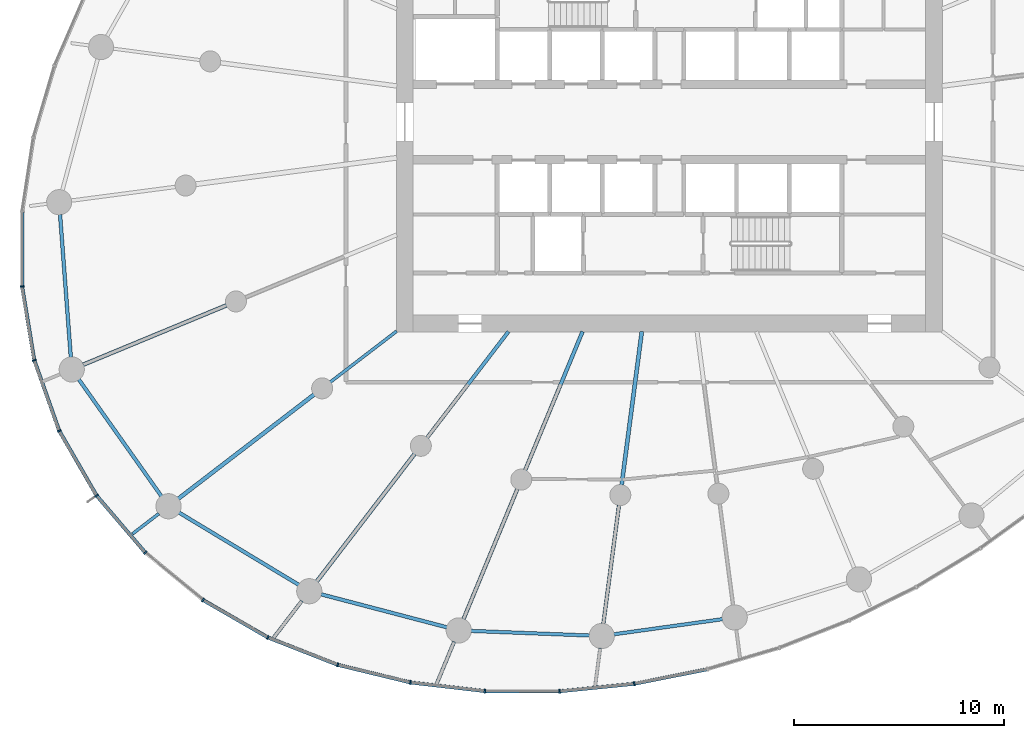
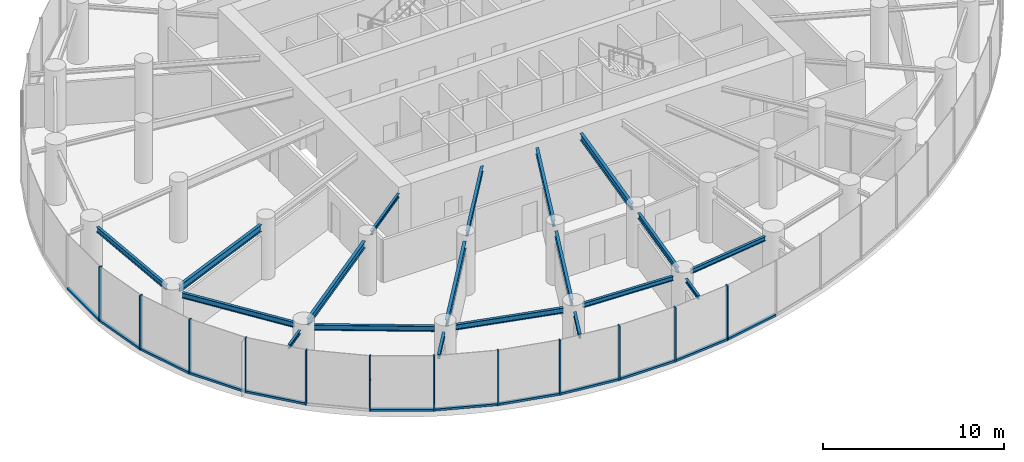
# One storey, part 2 of 17: 24 members, 19 beams, 3 elements without a shape of their own.
"""IFC4 building model written with IfcOpenShell, lengths in metres."""

from ifc_helpers import new_model, si_unit, direction, frame, origin, origin_2d, place, context, subcontext, project, spatial, rectangle, i_section, extrude, source, transform, mapped, material, layer, layer_set, material_profile, profile_set, type_object, element, aggregate, save


model = new_model("IFC4")

# Units and contexts
model_context = context("Model", 3, precision=1e-05, world=origin(), true_north=direction((0.0, 1.0)))
body_context = subcontext(model_context, "Body", "Model", "MODEL_VIEW")
ifc_project = project(units=[si_unit("LENGTHUNIT", "METRE"), si_unit("AREAUNIT", "SQUARE_METRE"), si_unit("VOLUMEUNIT", "CUBIC_METRE"), si_unit("PLANEANGLEUNIT", "RADIAN"), si_unit("MASSUNIT", "GRAM", prefix="KILO")], contexts=[model_context])

# Site, building, storey
site_placement = place(None, origin())
site = spatial("IfcSite", under=ifc_project, at=site_placement, CompositionType="ELEMENT")
building_placement = place(site_placement, origin())
building = spatial("IfcBuilding", under=site, at=building_placement, Name="Spindrift Exchange Tower", CompositionType="ELEMENT")
storey_placement = place(building_placement, frame((0.0, 0.0, 120.800048828125)))
storey = spatial("IfcBuildingStorey", under=building, at=storey_placement, Name="L28", CompositionType="ELEMENT", Elevation=120.800048828125)

# Beams
ifc_material_1 = material(Name="Steel Grade 300", Category="steel")
ifc_material_profile_1 = material_profile(ifc_material_1, i_section(OverallWidth=0.14599609375, OverallDepth=0.251953125, WebThickness=0.006103515625, FlangeThickness=0.008544921875, FilletRadius=0.011962890625, at=origin_2d()), Name="250UB31.4")
ifc_profile_set_1 = profile_set([ifc_material_profile_1], Name="Steel Grade 300")
beam_type_1 = type_object("IfcBeamType", Name="Floor Beam 250UB31.4 Steel Grade 300", PredefinedType="BEAM", material=ifc_profile_set_1)
shared_shape_1 = source(origin(), body_context, "Body", "SweptSolid", [
    extrude(i_section(OverallWidth=0.14599609375, OverallDepth=0.251953125, WebThickness=0.006103515625, FlangeThickness=0.008544921875, FilletRadius=0.011962890625, at=origin_2d()), origin(), (0.0, 0.0, 1.0), 3.99560546875),
])
beam_1_placement = place(storey_placement, frame((39.015869140625, 38.036865234375, 3.573974609375), z_axis=(-0.793352561574, -0.608762443851, 0.0), x_axis=(0.608762443851, -0.793352561574, 0.0)))
element("IfcBeam", 1, at=beam_1_placement, inside=storey, type_object=beam_type_1, Name="L28 radial beam R15A", PredefinedType="BEAM", context=body_context, shape_type="MappedRepresentation", body=[
    mapped(shared_shape_1, transform((0.0, 0.0, 0.0), scale=1.0)),
])
ifc_material_profile_2 = material_profile(ifc_material_1, i_section(OverallWidth=0.172119140625, OverallDepth=0.35888671875, WebThickness=0.008056640625, FlangeThickness=0.012939453125, FilletRadius=0.013916015625, at=origin_2d()), Name="360UB56.7")
ifc_profile_set_2 = profile_set([ifc_material_profile_2], Name="Steel Grade 300")
beam_type_2 = type_object("IfcBeamType", Name="Floor Beam 360UB56.7 Steel Grade 300", PredefinedType="BEAM", material=ifc_profile_set_2)
shared_shape_2 = source(origin(), body_context, "Body", "SweptSolid", [
    extrude(i_section(OverallWidth=0.172119140625, OverallDepth=0.35888671875, WebThickness=0.008056640625, FlangeThickness=0.012939453125, FilletRadius=0.013916015625, at=origin_2d()), origin(), (0.0, 0.0, 1.0), 6.37646484375),
])
beam_2_placement = place(storey_placement, frame((44.3388671875, 38.015869140625, 3.5205078125), z_axis=(-0.608766669952, -0.793349318747, 0.0), x_axis=(0.793349318747, -0.608766669952, 0.0)))
element("IfcBeam", 2, at=beam_2_placement, inside=storey, type_object=beam_type_2, Name="L28 radial beam R16A", PredefinedType="BEAM", context=body_context, shape_type="MappedRepresentation", body=[
    mapped(shared_shape_2, transform((0.0, 0.0, 0.0), scale=1.0)),
])
ifc_material_profile_3 = material_profile(ifc_material_1, i_section(OverallWidth=0.177978515625, OverallDepth=0.406005859375, WebThickness=0.0078125, FlangeThickness=0.0126953125, FilletRadius=0.013916015625, at=origin_2d()), Name="410UB59.7")
ifc_profile_set_3 = profile_set([ifc_material_profile_3], Name="Steel Grade 300")
beam_type_3 = type_object("IfcBeamType", Name="Floor Beam 410UB59.7 Steel Grade 300", PredefinedType="BEAM", material=ifc_profile_set_3)
shared_shape_3 = source(origin(), body_context, "Body", "SweptSolid", [
    extrude(i_section(OverallWidth=0.177978515625, OverallDepth=0.406005859375, WebThickness=0.0078125, FlangeThickness=0.0126953125, FilletRadius=0.013916015625, at=origin_2d()), origin(), (0.0, 0.0, 1.0), 7.150634765625),
])
beam_3_placement = place(storey_placement, frame((47.865478515625, 38.0185546875, 3.4970703125), z_axis=(-0.382665393358, -0.923887004306, 0.0), x_axis=(0.923887004306, -0.382665393358, 0.0)))
element("IfcBeam", 3, at=beam_3_placement, inside=storey, type_object=beam_type_3, Name="L28 radial beam R17A", PredefinedType="BEAM", context=body_context, shape_type="MappedRepresentation", body=[
    mapped(shared_shape_3, transform((0.0, 0.0, 0.0), scale=1.0)),
])
ifc_material_profile_4 = material_profile(ifc_material_1, i_section(OverallWidth=0.18994140625, OverallDepth=0.45703125, WebThickness=0.009033203125, FlangeThickness=0.014404296875, FilletRadius=0.013916015625, at=origin_2d()), Name="460UB74.6")
ifc_profile_set_4 = profile_set([ifc_material_profile_4], Name="Steel Grade 300")
beam_type_4 = type_object("IfcBeamType", Name="Floor Beam 460UB74.6 Steel Grade 300", PredefinedType="BEAM", material=ifc_profile_set_4)
shared_shape_4 = source(origin(), body_context, "Body", "SweptSolid", [
    extrude(i_section(OverallWidth=0.18994140625, OverallDepth=0.45703125, WebThickness=0.009033203125, FlangeThickness=0.014404296875, FilletRadius=0.013916015625, at=origin_2d()), origin(), (0.0, 0.0, 1.0), 7.374267578125),
])
beam_4_placement = place(storey_placement, frame((50.68603515625, 38.019775390625, 3.471435546875), z_axis=(-0.130539295622, -0.99144313619, 0.0), x_axis=(0.99144313619, -0.130539295622, 0.0)))
element("IfcBeam", 4, at=beam_4_placement, inside=storey, type_object=beam_type_4, Name="L28 radial beam R18A", PredefinedType="BEAM", context=body_context, shape_type="MappedRepresentation", body=[
    mapped(shared_shape_4, transform((0.0, 0.0, 0.0), scale=1.0)),
])
shared_shape_5 = source(origin(), body_context, "Body", "SweptSolid", [
    extrude(i_section(OverallWidth=0.18994140625, OverallDepth=0.45703125, WebThickness=0.009033203125, FlangeThickness=0.014404296875, FilletRadius=0.013916015625, at=origin_2d()), origin(), (0.0, 0.0, 1.0), 7.400146484375),
])
beam_5_placement = place(storey_placement, frame((30.917236328125, 39.26708984375, 3.471435546875), z_axis=(-0.923886957755, -0.382665505749, 0.0), x_axis=(0.382665505749, -0.923886957755, 0.0)))
element("IfcBeam", 5, at=beam_5_placement, inside=storey, type_object=beam_type_4, Name="L28 radial beam R14B", PredefinedType="BEAM", context=body_context, shape_type="MappedRepresentation", body=[
    mapped(shared_shape_5, transform((0.0, 0.0, 0.0), scale=1.0)),
])
shared_shape_6 = source(origin(), body_context, "Body", "SweptSolid", [
    extrude(i_section(OverallWidth=0.18994140625, OverallDepth=0.45703125, WebThickness=0.009033203125, FlangeThickness=0.014404296875, FilletRadius=0.013916015625, at=origin_2d()), origin(), (0.0, 0.0, 1.0), 8.158447265625),
])
beam_6_placement = place(storey_placement, frame((35.08447265625, 35.020263671875, 3.471435546875), z_axis=(-0.793358732539, -0.608754401631, 0.0), x_axis=(0.608754401631, -0.793358732539, 0.0)))
element("IfcBeam", 6, at=beam_6_placement, inside=storey, type_object=beam_type_4, Name="L28 radial beam R15B", PredefinedType="BEAM", context=body_context, shape_type="MappedRepresentation", body=[
    mapped(shared_shape_6, transform((0.0, 0.0, 0.0), scale=1.0)),
])
shared_shape_7 = source(origin(), body_context, "Body", "SweptSolid", [
    extrude(i_section(OverallWidth=0.18994140625, OverallDepth=0.45703125, WebThickness=0.009033203125, FlangeThickness=0.014404296875, FilletRadius=0.013916015625, at=origin_2d()), origin(), (0.0, 0.0, 1.0), 7.663818359375),
])
beam_7_placement = place(storey_placement, frame((39.872802734375, 32.1953125, 3.471435546875), z_axis=(-0.608771227503, -0.793345821546, 0.0), x_axis=(0.793345821546, -0.608771227503, 0.0)))
element("IfcBeam", 7, at=beam_7_placement, inside=storey, type_object=beam_type_4, Name="L28 radial beam R16B", PredefinedType="BEAM", context=body_context, shape_type="MappedRepresentation", body=[
    mapped(shared_shape_7, transform((0.0, 0.0, 0.0), scale=1.0)),
])
shared_shape_8 = source(origin(), body_context, "Body", "SweptSolid", [
    extrude(i_section(OverallWidth=0.177978515625, OverallDepth=0.406005859375, WebThickness=0.0078125, FlangeThickness=0.0126953125, FilletRadius=0.013916015625, at=origin_2d()), origin(), (0.0, 0.0, 1.0), 6.71240234375),
])
beam_8_placement = place(storey_placement, frame((44.76171875, 30.525146484375, 3.4970703125), z_axis=(-0.382669812754, -0.923885173821, 0.0), x_axis=(0.923885173821, -0.382669812754, 0.0)))
element("IfcBeam", 8, at=beam_8_placement, inside=storey, type_object=beam_type_3, Name="L28 radial beam R17B", PredefinedType="BEAM", context=body_context, shape_type="MappedRepresentation", body=[
    mapped(shared_shape_8, transform((0.0, 0.0, 0.0), scale=1.0)),
])
shared_shape_9 = source(origin(), body_context, "Body", "SweptSolid", [
    extrude(i_section(OverallWidth=0.172119140625, OverallDepth=0.35888671875, WebThickness=0.008056640625, FlangeThickness=0.012939453125, FilletRadius=0.013916015625, at=origin_2d()), origin(), (0.0, 0.0, 1.0), 5.70751953125),
])
beam_9_placement = place(storey_placement, frame((49.59814453125, 29.7568359375, 3.5205078125), z_axis=(-0.130507624881, -0.991447305634, 0.0), x_axis=(0.991447305634, -0.130507624881, 0.0)))
element("IfcBeam", 9, at=beam_9_placement, inside=storey, type_object=beam_type_2, Name="L28 radial beam R18B", PredefinedType="BEAM", context=body_context, shape_type="MappedRepresentation", body=[
    mapped(shared_shape_9, transform((0.0, 0.0, 0.0), scale=1.0)),
])
ifc_material_profile_5 = material_profile(ifc_material_1, i_section(OverallWidth=0.172119140625, OverallDepth=0.35888671875, WebThickness=0.008056640625, FlangeThickness=0.012939453125, FilletRadius=0.013916015625, at=origin_2d()), Name="360UB56.7")
ifc_profile_set_5 = profile_set([ifc_material_profile_5], Name="Steel Grade 300")
beam_type_5 = type_object("IfcBeamType", Name="Edge Beam 360UB56.7 Steel Grade 300", PredefinedType="SPANDREL", material=ifc_profile_set_5)
shared_shape_10 = source(origin(), body_context, "Body", "SweptSolid", [
    extrude(i_section(OverallWidth=0.172119140625, OverallDepth=0.35888671875, WebThickness=0.008056640625, FlangeThickness=0.012939453125, FilletRadius=0.013916015625, at=origin_2d()), origin(), (0.0, 0.0, 1.0), 6.82373046875),
])
beam_10_placement = place(storey_placement, frame((22.9873046875, 43.59619140625, 3.5205078125), z_axis=(0.075276463877, -0.997162701863, 0.0), x_axis=(0.997162701863, 0.075276463877, 0.0)))
element("IfcBeam", 10, at=beam_10_placement, inside=storey, type_object=beam_type_5, Name="L28 edge beam E13", PredefinedType="SPANDREL", context=body_context, shape_type="MappedRepresentation", body=[
    mapped(shared_shape_10, transform((0.0, 0.0, 0.0), scale=1.0)),
])
shared_shape_11 = source(origin(), body_context, "Body", "SweptSolid", [
    extrude(i_section(OverallWidth=0.172119140625, OverallDepth=0.35888671875, WebThickness=0.008056640625, FlangeThickness=0.012939453125, FilletRadius=0.013916015625, at=origin_2d()), origin(), (0.0, 0.0, 1.0), 6.81787109375),
])
beam_11_placement = place(storey_placement, frame((23.87939453125, 35.739990234375, 3.5205078125), z_axis=(0.577526426198, -0.816371990604, 0.0), x_axis=(0.816371990604, 0.577526426198, 0.0)))
element("IfcBeam", 11, at=beam_11_placement, inside=storey, type_object=beam_type_5, Name="L28 edge beam E14", PredefinedType="SPANDREL", context=body_context, shape_type="MappedRepresentation", body=[
    mapped(shared_shape_11, transform((0.0, 0.0, 0.0), scale=1.0)),
])
shared_shape_12 = source(origin(), body_context, "Body", "SweptSolid", [
    extrude(i_section(OverallWidth=0.172119140625, OverallDepth=0.35888671875, WebThickness=0.008056640625, FlangeThickness=0.012939453125, FilletRadius=0.013916015625, at=origin_2d()), origin(), (0.0, 0.0, 1.0), 6.668701171875),
])
beam_12_placement = place(storey_placement, frame((28.6484375, 29.40087890625, 3.5205078125), z_axis=(0.856133207479, -0.516755194508, 0.0), x_axis=(0.516755194508, 0.856133207479, 0.0)))
element("IfcBeam", 12, at=beam_12_placement, inside=storey, type_object=beam_type_5, Name="L28 edge beam E15", PredefinedType="SPANDREL", context=body_context, shape_type="MappedRepresentation", body=[
    mapped(shared_shape_12, transform((0.0, 0.0, 0.0), scale=1.0)),
])
shared_shape_13 = source(origin(), body_context, "Body", "SweptSolid", [
    extrude(i_section(OverallWidth=0.172119140625, OverallDepth=0.35888671875, WebThickness=0.008056640625, FlangeThickness=0.012939453125, FilletRadius=0.013916015625, at=origin_2d()), origin(), (0.0, 0.0, 1.0), 6.197509765625),
])
beam_13_placement = place(storey_placement, frame((35.415283203125, 25.508056640625, 3.5205078125), z_axis=(0.967254420813, -0.253808757567, 0.0), x_axis=(0.253808757567, 0.967254420813, 0.0)))
element("IfcBeam", 13, at=beam_13_placement, inside=storey, type_object=beam_type_5, Name="L28 edge beam E16", PredefinedType="SPANDREL", context=body_context, shape_type="MappedRepresentation", body=[
    mapped(shared_shape_13, transform((0.0, 0.0, 0.0), scale=1.0)),
])
ifc_material_profile_6 = material_profile(ifc_material_1, i_section(OverallWidth=0.1650390625, OverallDepth=0.303955078125, WebThickness=0.006103515625, FlangeThickness=0.01025390625, FilletRadius=0.011474609375, at=origin_2d()), Name="310UB40.4")
ifc_profile_set_6 = profile_set([ifc_material_profile_6], Name="Steel Grade 300")
beam_type_6 = type_object("IfcBeamType", Name="Edge Beam 310UB40.4 Steel Grade 300", PredefinedType="SPANDREL", material=ifc_profile_set_6)
shared_shape_14 = source(origin(), body_context, "Body", "SweptSolid", [
    extrude(i_section(OverallWidth=0.1650390625, OverallDepth=0.303955078125, WebThickness=0.006103515625, FlangeThickness=0.01025390625, FilletRadius=0.011474609375, at=origin_2d()), origin(), (0.0, 0.0, 1.0), 5.65185546875),
])
beam_14_placement = place(storey_placement, frame((42.550537109375, 23.765380859375, 3.5478515625), z_axis=(0.99924397539, -0.038877726865, 0.0), x_axis=(0.038877726865, 0.99924397539, 0.0)))
element("IfcBeam", 14, at=beam_14_placement, inside=storey, type_object=beam_type_6, Name="L28 edge beam E17", PredefinedType="SPANDREL", context=body_context, shape_type="MappedRepresentation", body=[
    mapped(shared_shape_14, transform((0.0, 0.0, 0.0), scale=1.0)),
])
shared_shape_15 = source(origin(), body_context, "Body", "SweptSolid", [
    extrude(i_section(OverallWidth=0.1650390625, OverallDepth=0.303955078125, WebThickness=0.006103515625, FlangeThickness=0.01025390625, FilletRadius=0.011474609375, at=origin_2d()), origin(), (0.0, 0.0, 1.0), 5.22998046875),
])
beam_15_placement = place(storey_placement, frame((49.35205078125, 23.603271484375, 3.5478515625), z_axis=(0.990440078597, 0.137943650481, 0.0), x_axis=(-0.137943650481, 0.990440078597, 0.0)))
element("IfcBeam", 15, at=beam_15_placement, inside=storey, type_object=beam_type_6, Name="L28 edge beam E18", PredefinedType="SPANDREL", context=body_context, shape_type="MappedRepresentation", body=[
    mapped(shared_shape_15, transform((0.0, 0.0, 0.0), scale=1.0)),
])
ifc_material_profile_7 = material_profile(ifc_material_1, i_section(OverallWidth=0.14599609375, OverallDepth=0.251953125, WebThickness=0.006103515625, FlangeThickness=0.008544921875, FilletRadius=0.011962890625, at=origin_2d()), Name="250UB31.4")
ifc_profile_set_7 = profile_set([ifc_material_profile_7], Name="Steel Grade 300")
beam_type_7 = type_object("IfcBeamType", Name="Cantilever Beam 250UB31.4 Steel Grade 300", PredefinedType="BEAM", material=ifc_profile_set_7)
shared_shape_16 = source(origin(), body_context, "Body", "SweptSolid", [
    extrude(i_section(OverallWidth=0.14599609375, OverallDepth=0.251953125, WebThickness=0.006103515625, FlangeThickness=0.008544921875, FilletRadius=0.011962890625, at=origin_2d()), origin(), (0.0, 0.0, 1.0), 1.579345703125),
])
beam_16_placement = place(storey_placement, frame((27.691650390625, 29.347412109375, 3.573974609375), z_axis=(-0.793347524378, -0.608769008379, 0.0), x_axis=(0.608769008379, -0.793347524378, 0.0)))
element("IfcBeam", 16, at=beam_16_placement, inside=storey, type_object=beam_type_7, Name="L28 cantilever beam R15T", PredefinedType="BEAM", context=body_context, shape_type="MappedRepresentation", body=[
    mapped(shared_shape_16, transform((0.0, 0.0, 0.0), scale=1.0)),
])
ifc_material_profile_8 = material_profile(ifc_material_1, i_section(OverallWidth=0.1650390625, OverallDepth=0.303955078125, WebThickness=0.006103515625, FlangeThickness=0.01025390625, FilletRadius=0.011474609375, at=origin_2d()), Name="310UB40.4")
ifc_profile_set_8 = profile_set([ifc_material_profile_8], Name="Steel Grade 300")
beam_type_8 = type_object("IfcBeamType", Name="Cantilever Beam 310UB40.4 Steel Grade 300", PredefinedType="BEAM", material=ifc_profile_set_8)
shared_shape_17 = source(origin(), body_context, "Body", "SweptSolid", [
    extrude(i_section(OverallWidth=0.1650390625, OverallDepth=0.303955078125, WebThickness=0.006103515625, FlangeThickness=0.01025390625, FilletRadius=0.011474609375, at=origin_2d()), origin(), (0.0, 0.0, 1.0), 2.200439453125),
])
beam_17_placement = place(storey_placement, frame((34.501220703125, 25.195068359375, 3.5478515625), z_axis=(-0.608804169934, -0.793320542196, 0.0), x_axis=(0.793320542196, -0.608804169934, 0.0)))
element("IfcBeam", 17, at=beam_17_placement, inside=storey, type_object=beam_type_8, Name="L28 cantilever beam R16T", PredefinedType="BEAM", context=body_context, shape_type="MappedRepresentation", body=[
    mapped(shared_shape_17, transform((0.0, 0.0, 0.0), scale=1.0)),
])
shared_shape_18 = source(origin(), body_context, "Body", "SweptSolid", [
    extrude(i_section(OverallWidth=0.1650390625, OverallDepth=0.303955078125, WebThickness=0.006103515625, FlangeThickness=0.01025390625, FilletRadius=0.011474609375, at=origin_2d()), origin(), (0.0, 0.0, 1.0), 2.197021484375),
])
beam_18_placement = place(storey_placement, frame((41.7490234375, 23.251953125, 3.5478515625), z_axis=(-0.382705099748, -0.92387055729, 0.0), x_axis=(0.92387055729, -0.382705099748, 0.0)))
element("IfcBeam", 18, at=beam_18_placement, inside=storey, type_object=beam_type_8, Name="L28 cantilever beam R17T", PredefinedType="BEAM", context=body_context, shape_type="MappedRepresentation", body=[
    mapped(shared_shape_18, transform((0.0, 0.0, 0.0), scale=1.0)),
])
shared_shape_19 = source(origin(), body_context, "Body", "SweptSolid", [
    extrude(i_section(OverallWidth=0.14599609375, OverallDepth=0.251953125, WebThickness=0.006103515625, FlangeThickness=0.008544921875, FilletRadius=0.011962890625, at=origin_2d()), origin(), (0.0, 0.0, 1.0), 1.8232421875),
])
beam_19_placement = place(storey_placement, frame((48.701904296875, 22.9482421875, 3.573974609375), z_axis=(-0.130558428078, -0.99144061691, 0.0), x_axis=(0.99144061691, -0.130558428078, 0.0)))
element("IfcBeam", 19, at=beam_19_placement, inside=storey, type_object=beam_type_7, Name="L28 cantilever beam R18T", PredefinedType="BEAM", context=body_context, shape_type="MappedRepresentation", body=[
    mapped(shared_shape_19, transform((0.0, 0.0, 0.0), scale=1.0)),
])

# Curtain wall, member
ifc_material_2 = material(Name="Fritted laminated glass with bronze frame", Category="glass")
ifc_layer = layer(ifc_material_2, 0.18994140625)
ifc_layer_set = layer_set([ifc_layer], Name="ZONE 2 BRONZE FRITTED WALL")
curtain_wall_type = type_object("IfcCurtainWallType", Name="ZONE 2 BRONZE FRITTED WALL", PredefinedType="NOTDEFINED", material=ifc_layer_set)
curtain_wall_1_placement = place(storey_placement, origin())
curtain_wall_1 = element("IfcCurtainWall", 20, at=curtain_wall_1_placement, inside=storey, type_object=curtain_wall_type, Name="L28 Zone 2 Bronze Fritted Wall run 4", PredefinedType="NOTDEFINED")
ifc_material_3 = material(Name="Bronze anodised aluminium", Category="aluminium")
ifc_material_profile_9 = material_profile(ifc_material_3, rectangle(XDim=0.074951171875, YDim=0.18994140625, at=origin_2d()), Name="ZONE 2 BRONZE FRITTED WALL MULLION 75X190")
ifc_profile_set_9 = profile_set([ifc_material_profile_9], Name="Bronze anodised aluminium")
member_type_1 = type_object("IfcMemberType", Name="ZONE 2 BRONZE FRITTED WALL MULLION 75X190", PredefinedType="MULLION", material=ifc_profile_set_9)
shared_shape_20 = source(origin(), body_context, "Body", "SweptSolid", [
    extrude(rectangle(XDim=0.074951171875, YDim=0.18994140625, at=origin_2d()), origin(), (0.0, 0.0, 1.0), 3.699951171875),
])
member_1_placement = place(storey_placement, frame((21.178955078125, 40.164794921875, 0.0), z_axis=(0.0, 0.0, 1.0), x_axis=(0.081462717515, -0.996676389635, 0.0)))
member_1 = element("IfcMember", 21, at=member_1_placement, type_object=member_type_1, Name="L28 mullion CW-2.24", PredefinedType="MULLION", context=body_context, shape_type="MappedRepresentation", body=[
    mapped(shared_shape_20, transform((0.0, 0.0, 0.0), scale=1.0)),
])

# Curtain wall, members
curtain_wall_2_placement = place(storey_placement, origin())
curtain_wall_2 = element("IfcCurtainWall", 22, at=curtain_wall_2_placement, inside=storey, type_object=curtain_wall_type, Name="L28 Zone 2 Bronze Fritted Wall run 5", PredefinedType="NOTDEFINED")
member_2_placement = place(storey_placement, frame((21.759521484375, 36.649169921875, 0.0), z_axis=(0.0, 0.0, 1.0), x_axis=(0.249198041846, -0.968452547077, 0.0)))
member_2 = element("IfcMember", 23, at=member_2_placement, type_object=member_type_1, Name="L28 mullion CW-2.25", PredefinedType="MULLION", context=body_context, shape_type="MappedRepresentation", body=[
    mapped(shared_shape_20, transform((0.0, 0.0, 0.0), scale=1.0)),
])
member_3_placement = place(storey_placement, frame((22.94775390625, 33.290283203125, 0.0), z_axis=(0.0, 0.0, 1.0), x_axis=(0.418429145581, -0.90824944268, 0.0)))
member_3 = element("IfcMember", 24, at=member_3_placement, type_object=member_type_1, Name="L28 mullion CW-2.26", PredefinedType="MULLION", context=body_context, shape_type="MappedRepresentation", body=[
    mapped(shared_shape_20, transform((0.0, 0.0, 0.0), scale=1.0)),
])
member_4_placement = place(storey_placement, frame((24.728515625, 30.20458984375, 0.0), z_axis=(0.0, 0.0, 1.0), x_axis=(0.577058744501, -0.816702641966, 0.0)))
member_4 = element("IfcMember", 25, at=member_4_placement, type_object=member_type_1, Name="L28 mullion CW-2.27", PredefinedType="MULLION", context=body_context, shape_type="MappedRepresentation", body=[
    mapped(shared_shape_20, transform((0.0, 0.0, 0.0), scale=1.0)),
])
member_5_placement = place(storey_placement, frame((27.04248046875, 27.4951171875, 0.0), z_axis=(0.0, 0.0, 1.0), x_axis=(0.713866120007, -0.700282202192, 0.0)))
member_5 = element("IfcMember", 26, at=member_5_placement, type_object=member_type_1, Name="L28 mullion CW-2.28", PredefinedType="MULLION", context=body_context, shape_type="MappedRepresentation", body=[
    mapped(shared_shape_20, transform((0.0, 0.0, 0.0), scale=1.0)),
])
member_6_placement = place(storey_placement, frame((29.796142578125, 25.2333984375, 0.0), z_axis=(0.0, 0.0, 1.0), x_axis=(0.822225083814, -0.569162464984, 0.0)))
member_6 = element("IfcMember", 27, at=member_6_placement, type_object=member_type_1, Name="L28 mullion CW-2.29", PredefinedType="MULLION", context=body_context, shape_type="MappedRepresentation", body=[
    mapped(shared_shape_20, transform((0.0, 0.0, 0.0), scale=1.0)),
])
member_7_placement = place(storey_placement, frame((32.883056640625, 23.4521484375, 0.0), z_axis=(0.0, 0.0, 1.0), x_axis=(0.901140092724, -0.433528007498, 0.0)))
member_7 = element("IfcMember", 28, at=member_7_placement, type_object=member_type_1, Name="L28 mullion CW-2.30", PredefinedType="MULLION", context=body_context, shape_type="MappedRepresentation", body=[
    mapped(shared_shape_20, transform((0.0, 0.0, 0.0), scale=1.0)),
])

curtain_wall_3_placement = place(storey_placement, origin())
curtain_wall_3 = element("IfcCurtainWall", 29, at=curtain_wall_3_placement, inside=storey, type_object=curtain_wall_type, Name="L28 Zone 2 Bronze Fritted Wall run 6", PredefinedType="NOTDEFINED")
member_8_placement = place(storey_placement, frame((36.2021484375, 22.151611328125, 0.0), z_axis=(0.0, 0.0, 1.0), x_axis=(0.953666321612, -0.300866327501, 0.0)))
member_8 = element("IfcMember", 30, at=member_8_placement, type_object=member_type_1, Name="L28 mullion CW-2.31", PredefinedType="MULLION", context=body_context, shape_type="MappedRepresentation", body=[
    mapped(shared_shape_20, transform((0.0, 0.0, 0.0), scale=1.0)),
])
member_9_placement = place(storey_placement, frame((39.6669921875, 21.31201171875, 0.0), z_axis=(0.0, 0.0, 1.0), x_axis=(0.984484543557, -0.17547131816, 0.0)))
member_9 = element("IfcMember", 31, at=member_9_placement, type_object=member_type_1, Name="L28 mullion CW-2.32", PredefinedType="MULLION", context=body_context, shape_type="MappedRepresentation", body=[
    mapped(shared_shape_20, transform((0.0, 0.0, 0.0), scale=1.0)),
])
member_10_placement = place(storey_placement, frame((43.209228515625, 20.90283203125, 0.0), z_axis=(0.0, 0.0, 1.0), x_axis=(0.998257896971, -0.059001450285, 0.0)))
member_10 = element("IfcMember", 32, at=member_10_placement, type_object=member_type_1, Name="L28 mullion CW-2.33", PredefinedType="MULLION", context=body_context, shape_type="MappedRepresentation", body=[
    mapped(shared_shape_20, transform((0.0, 0.0, 0.0), scale=1.0)),
])
member_11_placement = place(storey_placement, frame((46.775146484375, 20.891845703125, 0.0), z_axis=(0.0, 0.0, 1.0), x_axis=(0.998824379977, 0.048475333558, 0.0)))
member_11 = element("IfcMember", 33, at=member_11_placement, type_object=member_type_1, Name="L28 mullion CW-2.34", PredefinedType="MULLION", context=body_context, shape_type="MappedRepresentation", body=[
    mapped(shared_shape_20, transform((0.0, 0.0, 0.0), scale=1.0)),
])
member_12_placement = place(storey_placement, frame((50.32373046875, 21.248046875, 0.0), z_axis=(0.0, 0.0, 1.0), x_axis=(0.989042408823, 0.147631682068, 0.0)))
member_12 = element("IfcMember", 34, at=member_12_placement, type_object=member_type_1, Name="L28 mullion CW-2.35", PredefinedType="MULLION", context=body_context, shape_type="MappedRepresentation", body=[
    mapped(shared_shape_20, transform((0.0, 0.0, 0.0), scale=1.0)),
])
ifc_material_profile_10 = material_profile(ifc_material_3, rectangle(XDim=0.169921875, YDim=0.139892578125, at=origin_2d()), Name="ZONE 2 BRONZE FRITTED WALL TRANSOM 170X140")
ifc_profile_set_10 = profile_set([ifc_material_profile_10], Name="Bronze anodised aluminium")
member_type_2 = type_object("IfcMemberType", Name="ZONE 2 BRONZE FRITTED WALL TRANSOM 170X140", PredefinedType="USERDEFINED", material=ifc_profile_set_10)
shared_shape_21 = source(origin(), body_context, "Body", "SweptSolid", [
    extrude(rectangle(XDim=0.169921875, YDim=0.139892578125, at=origin_2d()), origin(), (0.0, 0.0, 1.0), 3.4912109375),
])
member_13_placement = place(storey_placement, frame((43.24658203125, 20.902587890625, 0.070068359375), z_axis=(0.999995479027, -0.003006979412, 0.0), x_axis=(0.003006979412, 0.999995479027, 0.0)))
member_13 = element("IfcMember", 35, at=member_13_placement, type_object=member_type_2, Name="L28 transom CW-2.33", ObjectType="TRANSOM", PredefinedType="USERDEFINED", context=body_context, shape_type="MappedRepresentation", body=[
    mapped(shared_shape_21, transform((0.0, 0.0, 0.0), scale=1.0)),
])
member_14_placement = place(storey_placement, frame((46.8125, 20.895751953125, 0.070068359375), z_axis=(0.995001817512, 0.099856813227, 0.0), x_axis=(-0.099856813227, 0.995001817512, 0.0)))
member_14 = element("IfcMember", 36, at=member_14_placement, type_object=member_type_2, Name="L28 transom CW-2.34", ObjectType="TRANSOM", PredefinedType="USERDEFINED", context=body_context, shape_type="MappedRepresentation", body=[
    mapped(shared_shape_21, transform((0.0, 0.0, 0.0), scale=1.0)),
])
shared_shape_22 = source(origin(), body_context, "Body", "SweptSolid", [
    extrude(rectangle(XDim=0.169921875, YDim=0.139892578125, at=origin_2d()), origin(), (0.0, 0.0, 1.0), 3.490478515625),
])
member_15_placement = place(storey_placement, frame((39.704345703125, 21.3076171875, 0.070068359375), z_axis=(0.99339146428, -0.114775427226, 0.0), x_axis=(0.114775427226, 0.99339146428, 0.0)))
member_15 = element("IfcMember", 37, at=member_15_placement, type_object=member_type_2, Name="L28 transom CW-2.32", ObjectType="TRANSOM", PredefinedType="USERDEFINED", context=body_context, shape_type="MappedRepresentation", body=[
    mapped(shared_shape_22, transform((0.0, 0.0, 0.0), scale=1.0)),
])

# Member
shared_shape_23 = source(origin(), body_context, "Body", "SweptSolid", [
    extrude(rectangle(XDim=0.169921875, YDim=0.139892578125, at=origin_2d()), origin(), (0.0, 0.0, 1.0), 3.489013671875),
])
member_16_placement = place(storey_placement, frame((21.180908203125, 43.69140625, 0.070068359375), z_axis=(-0.000559792789, -0.999999843316, 0.0), x_axis=(0.999999843316, -0.000559792789, 0.0)))
member_16 = element("IfcMember", 38, at=member_16_placement, type_object=member_type_2, Name="L28 transom CW-2.23", ObjectType="TRANSOM", PredefinedType="USERDEFINED", context=body_context, shape_type="MappedRepresentation", body=[
    mapped(shared_shape_23, transform((0.0, 0.0, 0.0), scale=1.0)),
])

member_17_placement = place(storey_placement, frame((29.82861328125, 25.21484375, 0.070068359375), z_axis=(0.866129664105, -0.49981937233, 0.0), x_axis=(0.49981937233, 0.866129664105, 0.0)))
member_17 = element("IfcMember", 39, at=member_17_placement, type_object=member_type_2, Name="L28 transom CW-2.29", ObjectType="TRANSOM", PredefinedType="USERDEFINED", context=body_context, shape_type="MappedRepresentation", body=[
    mapped(shared_shape_23, transform((0.0, 0.0, 0.0), scale=1.0)),
])

shared_shape_24 = source(origin(), body_context, "Body", "SweptSolid", [
    extrude(rectangle(XDim=0.169921875, YDim=0.139892578125, at=origin_2d()), origin(), (0.0, 0.0, 1.0), 3.48828125),
])
member_18_placement = place(storey_placement, frame((21.18505859375, 40.127685546875, 0.070068359375), z_axis=(0.162934709144, -0.986636853435, 0.0), x_axis=(0.986636853435, 0.162934709144, 0.0)))
member_18 = element("IfcMember", 40, at=member_18_placement, type_object=member_type_2, Name="L28 transom CW-2.24", ObjectType="TRANSOM", PredefinedType="USERDEFINED", context=body_context, shape_type="MappedRepresentation", body=[
    mapped(shared_shape_24, transform((0.0, 0.0, 0.0), scale=1.0)),
])

aggregate(curtain_wall_1, [member_16, member_1, member_18])

shared_shape_25 = source(origin(), body_context, "Body", "SweptSolid", [
    extrude(rectangle(XDim=0.169921875, YDim=0.139892578125, at=origin_2d()), origin(), (0.0, 0.0, 1.0), 3.48779296875),
])
member_19_placement = place(storey_placement, frame((22.966552734375, 33.2578125, 0.070068359375), z_axis=(0.499865863877, -0.866102833462, 0.0), x_axis=(0.866102833462, 0.499865863877, 0.0)))
member_19 = element("IfcMember", 41, at=member_19_placement, type_object=member_type_2, Name="L28 transom CW-2.26", ObjectType="TRANSOM", PredefinedType="USERDEFINED", context=body_context, shape_type="MappedRepresentation", body=[
    mapped(shared_shape_25, transform((0.0, 0.0, 0.0), scale=1.0)),
])

shared_shape_26 = source(origin(), body_context, "Body", "SweptSolid", [
    extrude(rectangle(XDim=0.169921875, YDim=0.139892578125, at=origin_2d()), origin(), (0.0, 0.0, 1.0), 3.491455078125),
])
member_20_placement = place(storey_placement, frame((50.360595703125, 21.25537109375, 0.070068359375), z_axis=(0.980797920614, 0.195026764622, 0.0), x_axis=(-0.195026764622, 0.980797920614, 0.0)))
member_20 = element("IfcMember", 42, at=member_20_placement, type_object=member_type_2, Name="L28 transom CW-2.35", ObjectType="TRANSOM", PredefinedType="USERDEFINED", context=body_context, shape_type="MappedRepresentation", body=[
    mapped(shared_shape_26, transform((0.0, 0.0, 0.0), scale=1.0)),
])

shared_shape_27 = source(origin(), body_context, "Body", "SweptSolid", [
    extrude(rectangle(XDim=0.169921875, YDim=0.139892578125, at=origin_2d()), origin(), (0.0, 0.0, 1.0), 3.490234375),
])
member_21_placement = place(storey_placement, frame((36.238525390625, 22.142822265625, 0.070068359375), z_axis=(0.971870000955, -0.235517942509, 0.0), x_axis=(0.235517942509, 0.971870000955, 0.0)))
member_21 = element("IfcMember", 43, at=member_21_placement, type_object=member_type_2, Name="L28 transom CW-2.31", ObjectType="TRANSOM", PredefinedType="USERDEFINED", context=body_context, shape_type="MappedRepresentation", body=[
    mapped(shared_shape_27, transform((0.0, 0.0, 0.0), scale=1.0)),
])

aggregate(curtain_wall_3, [member_8, member_21, member_9, member_15, member_10, member_13, member_11, member_14, member_12, member_20])

shared_shape_28 = source(origin(), body_context, "Body", "SweptSolid", [
    extrude(rectangle(XDim=0.169921875, YDim=0.139892578125, at=origin_2d()), origin(), (0.0, 0.0, 1.0), 3.488037109375),
])
member_22_placement = place(storey_placement, frame((21.772216796875, 36.61376953125, 0.070068359375), z_axis=(0.333457105738, -0.942765272288, 0.0), x_axis=(0.942765272288, 0.333457105738, 0.0)))
member_22 = element("IfcMember", 44, at=member_22_placement, type_object=member_type_2, Name="L28 transom CW-2.25", ObjectType="TRANSOM", PredefinedType="USERDEFINED", context=body_context, shape_type="MappedRepresentation", body=[
    mapped(shared_shape_28, transform((0.0, 0.0, 0.0), scale=1.0)),
])

member_23_placement = place(storey_placement, frame((24.7529296875, 30.176025390625, 0.070068359375), z_axis=(0.64941839894, -0.760431287572, 0.0), x_axis=(0.760431287572, 0.64941839894, 0.0)))
member_23 = element("IfcMember", 45, at=member_23_placement, type_object=member_type_2, Name="L28 transom CW-2.27", ObjectType="TRANSOM", PredefinedType="USERDEFINED", context=body_context, shape_type="MappedRepresentation", body=[
    mapped(shared_shape_28, transform((0.0, 0.0, 0.0), scale=1.0)),
])

shared_shape_29 = source(origin(), body_context, "Body", "SweptSolid", [
    extrude(rectangle(XDim=0.169921875, YDim=0.139892578125, at=origin_2d()), origin(), (0.0, 0.0, 1.0), 3.48974609375),
])
member_24_placement = place(storey_placement, frame((32.91796875, 23.4384765625, 0.070068359375), z_axis=(0.931073403373, -0.364831903117, 0.0), x_axis=(0.364831903117, 0.931073403373, 0.0)))
member_24 = element("IfcMember", 46, at=member_24_placement, type_object=member_type_2, Name="L28 transom CW-2.30", ObjectType="TRANSOM", PredefinedType="USERDEFINED", context=body_context, shape_type="MappedRepresentation", body=[
    mapped(shared_shape_29, transform((0.0, 0.0, 0.0), scale=1.0)),
])

aggregate(curtain_wall_2, [member_2, member_22, member_3, member_19, member_4, member_23, member_5, member_6, member_17, member_7, member_24])

save(model, "model.ifc")
